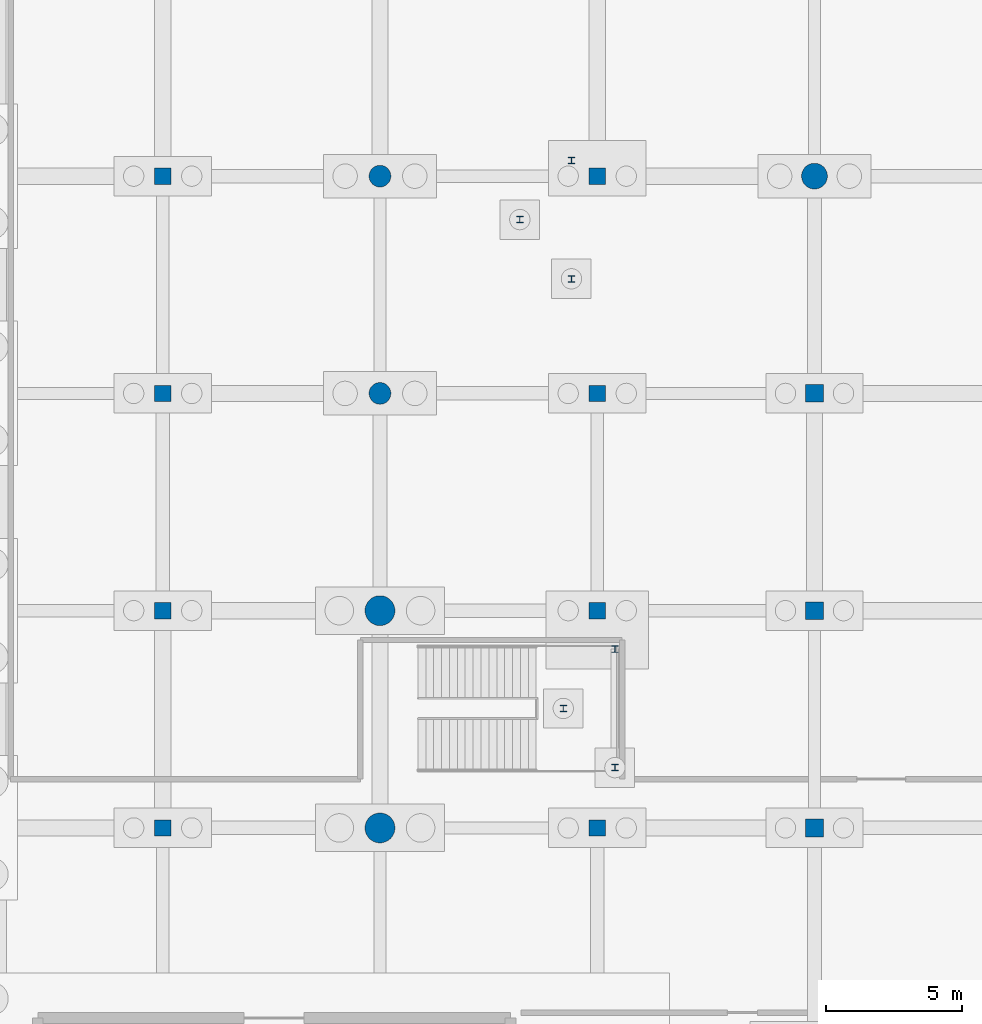
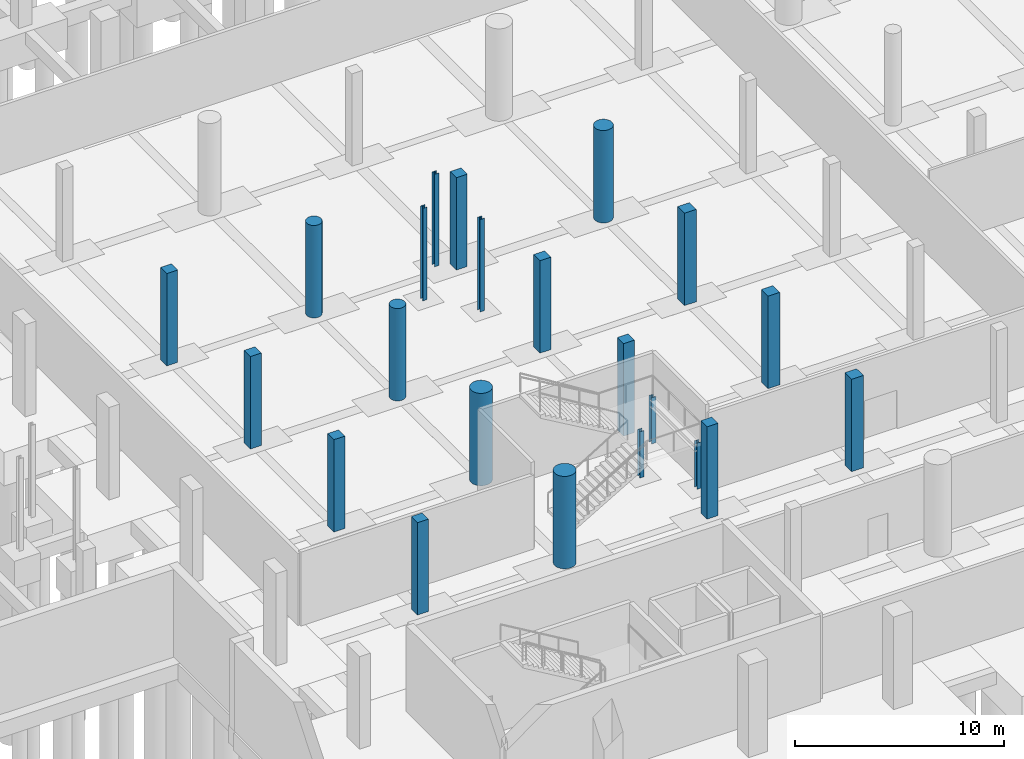
# One storey, part 29 of 65: 22 columns.
"""IFC4 building model written with IfcOpenShell, lengths in metres."""

from ifc_helpers import new_model, si_unit, direction, frame, origin, origin_2d, place, context, subcontext, project, spatial, rectangle, circle, i_section, extrude, material, material_profile, profile_set, type_object, element, save


model = new_model("IFC4")

# Units and contexts
model_context = context("Model", 3, precision=1e-05, world=origin(), true_north=direction((0.0, 1.0)))
body_context = subcontext(model_context, "Body", "Model", "MODEL_VIEW")
ifc_project = project(units=[si_unit("LENGTHUNIT", "METRE"), si_unit("AREAUNIT", "SQUARE_METRE"), si_unit("VOLUMEUNIT", "CUBIC_METRE"), si_unit("PLANEANGLEUNIT", "RADIAN"), si_unit("MASSUNIT", "GRAM", prefix="KILO")], contexts=[model_context])

# Site, building, storey
site_placement = place(None, origin())
site = spatial("IfcSite", under=ifc_project, at=site_placement, CompositionType="ELEMENT")
building_placement = place(site_placement, origin())
building = spatial("IfcBuilding", under=site, at=building_placement, Name="Khorjan Park Terminus", CompositionType="ELEMENT")
storey_placement = place(building_placement, frame((0.0, 0.0, -5.4)))
storey = spatial("IfcBuildingStorey", under=building, at=storey_placement, Name="B1", CompositionType="ELEMENT", Elevation=-5.4)

# Columns
ifc_material_1 = material(Name="Steel S355", Category="steel")
ifc_material_profile_1 = material_profile(ifc_material_1, i_section(OverallWidth=0.24, OverallDepth=0.24, WebThickness=0.01, FlangeThickness=0.017, FilletRadius=0.021, at=origin_2d()), Name="HEB 240")
ifc_profile_set_1 = profile_set([ifc_material_profile_1], Name="Steel S355")
column_type_1 = type_object("IfcColumnType", Name="COL-HB240", PredefinedType="COLUMN", material=ifc_profile_set_1)
for number, where, z_axis, x_axis, name in (
    (1, (72.65, 46.22, 0.0), (0.0, 0.0, 1.0), (1.0, 0.0, 0.0), "Structural column SC-H24 (B1 #1026)"),
    (2, (72.65, 50.58, 0.0), (0.0, 0.0, 1.0), (1.0, 0.0, 0.0), "Structural column SC-H24 (B1 #1027)"),
    (3, (70.75, 48.4, 0.0), (0.0, 0.0, 1.0), (1.0, 0.0, 0.0), "Structural column SC-H24 (B1 #1028)"),
):
    element("IfcColumn", number, at=place(storey_placement, frame(where, z_axis=z_axis, x_axis=x_axis)), inside=storey, type_object=column_type_1, Name=name, PredefinedType="COLUMN", context=body_context, shape_type="SweptSolid", body=[
        extrude(i_section(OverallWidth=0.24, OverallDepth=0.24, WebThickness=0.01, FlangeThickness=0.017, FilletRadius=0.021, at=origin_2d()), origin(), (0.0, 0.0, 1.0), 2.7),
    ])
for number, where, z_axis, x_axis, name in (
    (4, (71.05, 64.22, 0.0), (0.0, 0.0, 1.0), (1.0, 0.0, 0.0), "Structural column SC-H24 (B1 #1032)"),
    (5, (71.05, 68.58, 0.0), (0.0, 0.0, 1.0), (1.0, 0.0, 0.0), "Structural column SC-H24 (B1 #1034)"),
    (6, (69.15, 66.4, 0.0), (0.0, 0.0, 1.0), (1.0, 0.0, 0.0), "Structural column SC-H24 (B1 #1036)"),
):
    element("IfcColumn", number, at=place(storey_placement, frame(where, z_axis=z_axis, x_axis=x_axis)), inside=storey, type_object=column_type_1, Name=name, PredefinedType="COLUMN", context=body_context, shape_type="SweptSolid", body=[
        extrude(i_section(OverallWidth=0.24, OverallDepth=0.24, WebThickness=0.01, FlangeThickness=0.017, FilletRadius=0.021, at=origin_2d()), origin(), (0.0, 0.0, 1.0), 5.4),
    ])
ifc_material_2 = material(Name="Concrete C40/50", Category="concrete")
ifc_material_profile_2 = material_profile(ifc_material_2, rectangle(XDim=0.6, YDim=0.6, at=origin_2d()), Name="RC 600x600")
ifc_profile_set_2 = profile_set([ifc_material_profile_2], Name="Concrete C40/50")
column_type_2 = type_object("IfcColumnType", Name="COL-RC600", PredefinedType="COLUMN", material=ifc_profile_set_2)
for number, where, z_axis, x_axis, name in (
    (7, (56.0, 44.0, 0.0), (0.0, 0.0, 1.0), (1.0, 0.0, 0.0), "Structural column C-RC06 (B1 #275)"),
    (8, (56.0, 52.0, 0.0), (0.0, 0.0, 1.0), (1.0, 0.0, 0.0), "Structural column C-RC06 (B1 #276)"),
    (9, (56.0, 60.0, 0.0), (0.0, 0.0, 1.0), (1.0, 0.0, 0.0), "Structural column C-RC06 (B1 #277)"),
    (10, (56.0, 68.0, 0.0), (0.0, 0.0, 1.0), (1.0, 0.0, 0.0), "Structural column C-RC06 (B1 #278)"),
    (11, (72.0, 44.0, 0.0), (0.0, 0.0, 1.0), (1.0, 0.0, 0.0), "Structural column C-RC06 (B1 #314)"),
    (12, (72.0, 52.0, 0.0), (0.0, 0.0, 1.0), (1.0, 0.0, 0.0), "Structural column C-RC06 (B1 #315)"),
    (13, (72.0, 60.0, 0.0), (0.0, 0.0, 1.0), (1.0, 0.0, 0.0), "Structural column C-RC06 (B1 #316)"),
    (14, (72.0, 68.0, 0.0), (0.0, 0.0, 1.0), (1.0, 0.0, 0.0), "Structural column C-RC06 (B1 #317)"),
):
    element("IfcColumn", number, at=place(storey_placement, frame(where, z_axis=z_axis, x_axis=x_axis)), inside=storey, type_object=column_type_2, Name=name, PredefinedType="COLUMN", context=body_context, shape_type="SweptSolid", body=[
        extrude(rectangle(XDim=0.6, YDim=0.6, at=origin_2d()), origin(), (0.0, 0.0, 1.0), 5.4),
    ])
ifc_material_profile_3 = material_profile(ifc_material_2, rectangle(XDim=0.65, YDim=0.65, at=origin_2d()), Name="RC 650x650")
ifc_profile_set_3 = profile_set([ifc_material_profile_3], Name="Concrete C40/50")
column_type_3 = type_object("IfcColumnType", Name="COL-RC650", PredefinedType="COLUMN", material=ifc_profile_set_3)
for number, where, z_axis, x_axis, name in (
    (15, (80.0, 44.0, 0.0), (0.0, 0.0, 1.0), (1.0, 0.0, 0.0), "Structural column C-RC65 (B1 #332)"),
    (16, (80.0, 52.0, 0.0), (0.0, 0.0, 1.0), (1.0, 0.0, 0.0), "Structural column C-RC65 (B1 #333)"),
    (17, (80.0, 60.0, 0.0), (0.0, 0.0, 1.0), (1.0, 0.0, 0.0), "Structural column C-RC65 (B1 #334)"),
):
    element("IfcColumn", number, at=place(storey_placement, frame(where, z_axis=z_axis, x_axis=x_axis)), inside=storey, type_object=column_type_3, Name=name, PredefinedType="COLUMN", context=body_context, shape_type="SweptSolid", body=[
        extrude(rectangle(XDim=0.65, YDim=0.65, at=origin_2d()), origin(), (0.0, 0.0, 1.0), 5.4),
    ])
ifc_material_3 = material(Name="Concrete C50/60", Category="concrete")
ifc_material_profile_4 = material_profile(ifc_material_3, circle(Radius=0.55, at=origin_2d()), Name="RC D1100")
ifc_profile_set_4 = profile_set([ifc_material_profile_4], Name="Concrete C50/60")
column_type_4 = type_object("IfcColumnType", Name="COL-RD1100", PredefinedType="COLUMN", material=ifc_profile_set_4)
for number, where, z_axis, x_axis, name in (
    (18, (64.0, 44.0, 0.0), (0.0, 0.0, 1.0), (1.0, 0.0, 0.0), "Structural column C-RD11 (B1 #290)"),
    (19, (64.0, 52.0, 0.0), (0.0, 0.0, 1.0), (1.0, 0.0, 0.0), "Structural column C-RD11 (B1 #293)"),
):
    element("IfcColumn", number, at=place(storey_placement, frame(where, z_axis=z_axis, x_axis=x_axis)), inside=storey, type_object=column_type_4, Name=name, PredefinedType="COLUMN", context=body_context, shape_type="SweptSolid", body=[
        extrude(circle(Radius=0.55, at=origin_2d()), origin(), (0.0, 0.0, 1.0), 5.4),
    ])
ifc_material_profile_5 = material_profile(ifc_material_2, circle(Radius=0.4, at=origin_2d()), Name="RC D800")
ifc_profile_set_5 = profile_set([ifc_material_profile_5], Name="Concrete C40/50")
column_type_5 = type_object("IfcColumnType", Name="COL-RD800", PredefinedType="COLUMN", material=ifc_profile_set_5)
for number, where, z_axis, x_axis, name in (
    (20, (64.0, 60.0, 0.0), (0.0, 0.0, 1.0), (1.0, 0.0, 0.0), "Structural column C-RD80 (B1 #296)"),
    (21, (64.0, 68.0, 0.0), (0.0, 0.0, 1.0), (1.0, 0.0, 0.0), "Structural column C-RD80 (B1 #298)"),
):
    element("IfcColumn", number, at=place(storey_placement, frame(where, z_axis=z_axis, x_axis=x_axis)), inside=storey, type_object=column_type_5, Name=name, PredefinedType="COLUMN", context=body_context, shape_type="SweptSolid", body=[
        extrude(circle(Radius=0.4, at=origin_2d()), origin(), (0.0, 0.0, 1.0), 5.4),
    ])
ifc_material_profile_6 = material_profile(ifc_material_3, circle(Radius=0.475, at=origin_2d()), Name="RC D950")
ifc_profile_set_6 = profile_set([ifc_material_profile_6], Name="Concrete C50/60")
column_type_6 = type_object("IfcColumnType", Name="COL-RD950", PredefinedType="COLUMN", material=ifc_profile_set_6)
column_placement = place(storey_placement, frame((80.0, 68.0, 0.0), z_axis=(0.0, 0.0, 1.0), x_axis=(1.0, 0.0, 0.0)))
element("IfcColumn", 22, at=column_placement, inside=storey, type_object=column_type_6, Name="Structural column C-RD95 (B1 #335)", PredefinedType="COLUMN", context=body_context, shape_type="SweptSolid", body=[
    extrude(circle(Radius=0.475, at=origin_2d()), origin(), (0.0, 0.0, 1.0), 5.4),
])

save(model, "model.ifc")
